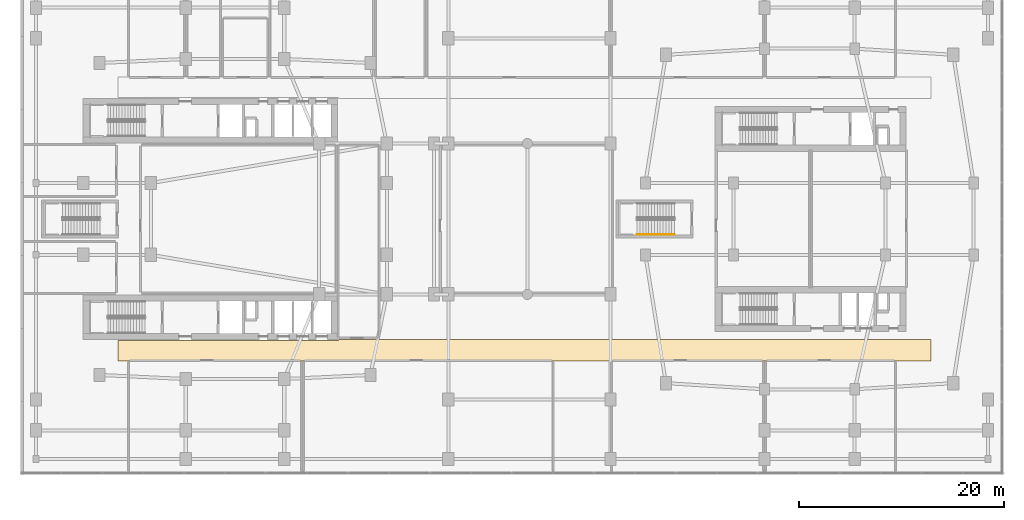
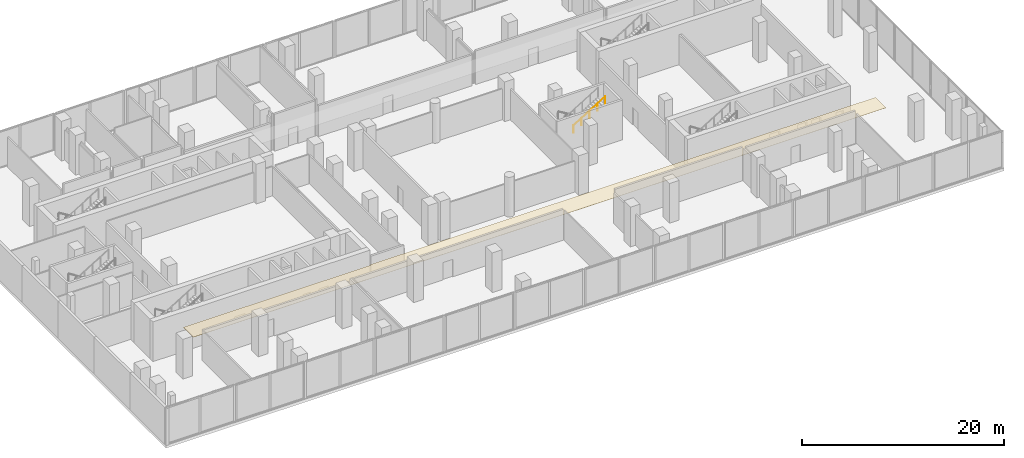
# One storey, part 19 of 23: 1 covering, 1 railing.
"""IFC4 building model written with IfcOpenShell, lengths in metres."""

from ifc_helpers import new_model, si_unit, derived_unit, direction, frame, origin, origin_2d, place, context, subcontext, project, spatial, polyline, circle, outline, extrude, material, layer, layer_set, type_object, element, save


model = new_model("IFC4")

# Units and contexts
model_context = context("Model", 3, precision=1e-05, world=origin(), true_north=direction((0.0, 1.0)))
body_context = subcontext(model_context, "Body", "Model", "MODEL_VIEW")
ifc_project = project(units=[si_unit("LENGTHUNIT", "METRE"), si_unit("AREAUNIT", "SQUARE_METRE"), si_unit("VOLUMEUNIT", "CUBIC_METRE"), si_unit("PLANEANGLEUNIT", "RADIAN"), si_unit("MASSUNIT", "GRAM", prefix="KILO"), derived_unit("THERMALTRANSMITTANCEUNIT", [(si_unit("POWERUNIT", "WATT"), 1), (si_unit("LENGTHUNIT", "METRE"), -2), (si_unit("THERMODYNAMICTEMPERATUREUNIT", "KELVIN"), -1)])], contexts=[model_context])

# Site, building, storey
site_placement = place(None, origin())
site = spatial("IfcSite", under=ifc_project, at=site_placement, CompositionType="ELEMENT")
building_placement = place(site_placement, origin())
building = spatial("IfcBuilding", under=site, at=building_placement, Name="Kivonza Crest Hotel", CompositionType="ELEMENT")
storey_placement = place(building_placement, frame((0.0, 0.0, 5.39990234375)))
storey = spatial("IfcBuildingStorey", under=building, at=storey_placement, Name="L01", CompositionType="ELEMENT", Elevation=5.39990234375)

# Covering
ifc_material_1 = material(Name="Mineral-fibre acoustic ceiling tile", Category="gypsum")
ifc_layer = layer(ifc_material_1, 0.02490234375)
ifc_layer_set = layer_set([ifc_layer], Name="Mineral-fibre acoustic ceiling tile")
covering_type = type_object("IfcCoveringType", Name="CV-CEIL-ACOU", PredefinedType="CEILING", material=ifc_layer_set)
covering_placement = place(storey_placement, frame((0.0, 0.0, 3.0)))
element("IfcCovering", 1, at=covering_placement, inside=storey, type_object=covering_type, Name="L01 L01 South and East Podium Corridor suspended ceiling", PredefinedType="CEILING", context=body_context, shape_type="SweptSolid", body=[
    extrude(outline(polyline([(88.840087890625, 11.159912109375), (88.840087890625, 13.239990234375), (31.10009765625, 13.239990234375), (31.10009765625, 13.139892578125), (9.610107421875, 13.139892578125), (9.610107421875, 11.159912109375), (88.840087890625, 11.159912109375)])), origin(), (0.0, 0.0, 1.0), 0.025146484375),
])

# Railing
ifc_material_2 = material(Name="Brushed stainless steel handrail", Category="steel")
railing_type = type_object("IfcRailingType", Name="RL-HAND-900", PredefinedType="HANDRAIL", material=ifc_material_2)
railing_placement = place(storey_placement, frame((60.199951171875, 23.489990234375, 2.571533203125)))
element("IfcRailing", 2, at=railing_placement, inside=storey, type_object=railing_type, Name="L01 ST-POD-E stair handrail 2", PredefinedType="HANDRAIL", context=body_context, shape_type="SweptSolid", body=[
    extrude(circle(Radius=0.02392578125, at=origin_2d()), frame((0.0, 0.0, 0.8759765625), z_axis=(0.852865859571, 0.0, 0.52213008492), x_axis=(0.0, 1.0, 0.0)), (0.0, 0.0, 1.0), 4.26806640625),
    extrude(circle(Radius=0.02099609375, at=origin_2d()), origin(), (0.0, 0.0, 1.0), 0.851806640625),
    extrude(circle(Radius=0.02099609375, at=origin_2d()), frame((0.91015625, 0.0, 0.55712890625)), (0.0, 0.0, 1.0), 0.851806640625),
    extrude(circle(Radius=0.02099609375, at=origin_2d()), frame((1.820068359375, 0.0, 1.1142578125)), (0.0, 0.0, 1.0), 0.851806640625),
    extrude(circle(Radius=0.02099609375, at=origin_2d()), frame((2.72998046875, 0.0, 1.67138671875)), (0.0, 0.0, 1.0), 0.851806640625),
    extrude(circle(Radius=0.02099609375, at=origin_2d()), frame((3.64013671875, 0.0, 2.228515625)), (0.0, 0.0, 1.0), 0.851806640625),
])

save(model, "model.ifc")
